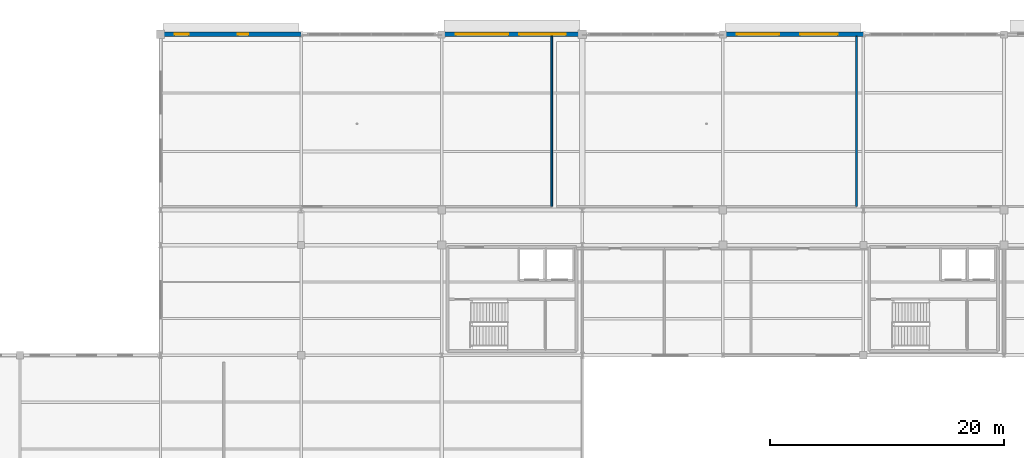
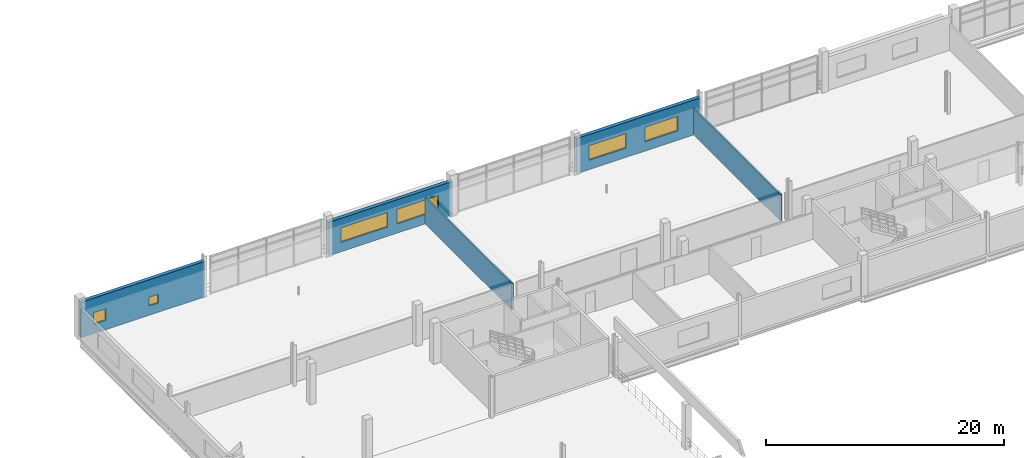
# One storey, part 73 of 89: 6 windows, 5 walls, 6 openings.
"""IFC4 building model written with IfcOpenShell, lengths in metres."""

from ifc_helpers import new_model, si_unit, direction, frame, frame_2d, origin, place, context, subcontext, project, spatial, rectangle, extrude, material, layer, layer_set, type_object, element, fill, save


model = new_model("IFC4")

# Units and contexts
model_context = context("Model", 3, precision=1e-05, world=origin(), true_north=direction((0.0, 1.0)))
body_context = subcontext(model_context, "Body", "Model", "MODEL_VIEW")
ifc_project = project(units=[si_unit("LENGTHUNIT", "METRE"), si_unit("AREAUNIT", "SQUARE_METRE"), si_unit("VOLUMEUNIT", "CUBIC_METRE"), si_unit("PLANEANGLEUNIT", "RADIAN"), si_unit("MASSUNIT", "GRAM", prefix="KILO"), si_unit("THERMODYNAMICTEMPERATUREUNIT", "KELVIN"), si_unit("POWERUNIT", "WATT")], contexts=[model_context])

# Site, building, storey
site_placement = place(None, origin())
site = spatial("IfcSite", under=ifc_project, at=site_placement, CompositionType="ELEMENT")
building_placement = place(site_placement, origin())
building = spatial("IfcBuilding", under=site, at=building_placement, Name="Solmara Park Aquatics Centre", CompositionType="ELEMENT")
storey_placement = place(building_placement, frame((0.0, 0.0, 5.39990234375)))
storey = spatial("IfcBuildingStorey", under=building, at=storey_placement, Name="L01", CompositionType="ELEMENT", Elevation=5.39990234375)

# Wall, openings, windows
ifc_material_1 = material(Name="Insulated Limestone Render Wall", Category="masonry")
ifc_layer_1 = layer(ifc_material_1, 0.35009765625, Name="Insulated Limestone Render Wall")
ifc_layer_set_1 = layer_set([ifc_layer_1], Name="Insulated Limestone Render Wall")
wall_type_1 = type_object("IfcWallType", Name="ARC-WL-EXT350", PredefinedType="SOLIDWALL", material=ifc_layer_set_1)
wall_1_placement = place(storey_placement, frame((24.60009765625, 136.0, 0.0), z_axis=(0.0, 0.0, 1.0), x_axis=(1.0, 0.0, 0.0)))
wall_1 = element("IfcWall", 1, at=wall_1_placement, inside=storey, type_object=wall_type_1, Name="Exterior Facade Wall EW-L01-023", PredefinedType="SOLIDWALL", context=body_context, shape_type="SweptSolid", body=[
    extrude(rectangle(XDim=12.0, YDim=0.35009765625, at=frame_2d((6.0, 0.0))), origin(), (0.0, 0.0, 1.0), 3.64013671875),
])
opening_1_placement = place(wall_1_placement, frame((1.199951171875, 0.0, 0.949951171875)))
opening_1 = element("IfcOpeningElement", 2, at=opening_1_placement, cuts=wall_1, Name="Opening W-09", PredefinedType="OPENING", context=body_context, shape_type="SweptSolid", body=[
    extrude(rectangle(XDim=1.199951171875, YDim=1.199951171875, at=frame_2d((0.60009765625, 0.60009765625))), frame((0.0, 0.18505859375, 0.0), z_axis=(0.0, -1.0, 0.0), x_axis=(1.0, 0.0, 0.0)), (0.0, 0.0, 1.0), 0.3701171875),
])
opening_2_placement = place(wall_1_placement, frame((6.60009765625, 0.0, 0.949951171875)))
opening_2 = element("IfcOpeningElement", 3, at=opening_2_placement, cuts=wall_1, Name="Opening W-10", PredefinedType="OPENING", context=body_context, shape_type="SweptSolid", body=[
    extrude(rectangle(XDim=0.89990234375, YDim=0.89990234375, at=frame_2d((0.449951171875, 0.449951171875))), frame((0.0, 0.18505859375, 0.0), z_axis=(0.0, -1.0, 0.0), x_axis=(1.0, 0.0, 0.0)), (0.0, 0.0, 1.0), 0.3701171875),
])
ifc_material_2 = material(Name="Thermally Broken Aluminium and Low-E Double Glazing", Category="aluminium")
window_type_1 = type_object("IfcWindowType", Name="ARC-WN-090x090", PartitioningType="SINGLE_PANEL", PredefinedType="WINDOW", material=ifc_material_2)
window_1_placement = place(opening_2_placement, origin())
window_1 = element("IfcWindow", 4, at=window_1_placement, inside=storey, type_object=window_type_1, Name="Ribbon Window WN-057", OverallHeight=0.89990234375, OverallWidth=0.89990234375, PartitioningType="SINGLE_PANEL", PredefinedType="WINDOW", context=body_context, shape_type="SweptSolid", body=[
    extrude(rectangle(XDim=0.89990234375, YDim=0.89990234375, at=frame_2d((0.449951171875, 0.449951171875))), frame((0.0, 0.030029296875, 0.0), z_axis=(0.0, -1.0, 0.0), x_axis=(1.0, 0.0, 0.0)), (0.0, 0.0, 1.0), 0.06005859375),
])
fill(opening_2, window_1)
window_type_2 = type_object("IfcWindowType", Name="ARC-WN-120x120", PartitioningType="SINGLE_PANEL", PredefinedType="WINDOW", material=ifc_material_2)
window_2_placement = place(opening_1_placement, origin())
window_2 = element("IfcWindow", 5, at=window_2_placement, inside=storey, type_object=window_type_2, Name="Ribbon Window WN-056", OverallHeight=1.199951171875, OverallWidth=1.199951171875, PartitioningType="SINGLE_PANEL", PredefinedType="WINDOW", context=body_context, shape_type="SweptSolid", body=[
    extrude(rectangle(XDim=1.199951171875, YDim=1.199951171875, at=frame_2d((0.60009765625, 0.60009765625))), frame((0.0, 0.030029296875, 0.0), z_axis=(0.0, -1.0, 0.0), x_axis=(1.0, 0.0, 0.0)), (0.0, 0.0, 1.0), 0.06005859375),
])
fill(opening_1, window_2)

wall_2_placement = place(storey_placement, frame((48.60009765625, 136.0, 0.0), z_axis=(0.0, 0.0, 1.0), x_axis=(1.0, 0.0, 0.0)))
wall_2 = element("IfcWall", 6, at=wall_2_placement, inside=storey, type_object=wall_type_1, Name="Exterior Facade Wall EW-L01-024", PredefinedType="SOLIDWALL", context=body_context, shape_type="SweptSolid", body=[
    extrude(rectangle(XDim=12.0, YDim=0.35009765625, at=frame_2d((6.0, 0.0))), origin(), (0.0, 0.0, 1.0), 3.43017578125),
])
opening_3_placement = place(wall_2_placement, frame((1.199951171875, 0.0, 0.949951171875)))
opening_3 = element("IfcOpeningElement", 7, at=opening_3_placement, cuts=wall_2, Name="Opening W-11", PredefinedType="OPENING", context=body_context, shape_type="SweptSolid", body=[
    extrude(rectangle(XDim=4.5, YDim=1.5, at=frame_2d((2.25, 0.75))), frame((0.0, 0.18505859375, 0.0), z_axis=(0.0, -1.0, 0.0), x_axis=(1.0, 0.0, 0.0)), (0.0, 0.0, 1.0), 0.3701171875),
])
opening_4_placement = place(wall_2_placement, frame((6.60009765625, 0.0, 0.949951171875)))
opening_4 = element("IfcOpeningElement", 8, at=opening_4_placement, cuts=wall_2, Name="Opening W-12", PredefinedType="OPENING", context=body_context, shape_type="SweptSolid", body=[
    extrude(rectangle(XDim=4.0, YDim=1.5, at=frame_2d((2.0, 0.75))), frame((0.0, 0.18505859375, 0.0), z_axis=(0.0, -1.0, 0.0), x_axis=(1.0, 0.0, 0.0)), (0.0, 0.0, 1.0), 0.3701171875),
])
window_type_3 = type_object("IfcWindowType", Name="ARC-WN-400x150", PartitioningType="TRIPLE_PANEL_HORIZONTAL", PredefinedType="WINDOW", material=ifc_material_2)
window_3_placement = place(opening_4_placement, origin())
window_3 = element("IfcWindow", 9, at=window_3_placement, inside=storey, type_object=window_type_3, Name="Ribbon Window WN-059", OverallHeight=1.5, OverallWidth=4.0, PartitioningType="TRIPLE_PANEL_HORIZONTAL", PredefinedType="WINDOW", context=body_context, shape_type="SweptSolid", body=[
    extrude(rectangle(XDim=4.0, YDim=1.5, at=frame_2d((2.0, 0.75))), frame((0.0, 0.030029296875, 0.0), z_axis=(0.0, -1.0, 0.0), x_axis=(1.0, 0.0, 0.0)), (0.0, 0.0, 1.0), 0.06005859375),
])
fill(opening_4, window_3)
window_type_4 = type_object("IfcWindowType", Name="ARC-WN-450x150", PartitioningType="TRIPLE_PANEL_HORIZONTAL", PredefinedType="WINDOW", material=ifc_material_2)
window_4_placement = place(opening_3_placement, origin())
window_4 = element("IfcWindow", 10, at=window_4_placement, inside=storey, type_object=window_type_4, Name="Ribbon Window WN-058", OverallHeight=1.5, OverallWidth=4.5, PartitioningType="TRIPLE_PANEL_HORIZONTAL", PredefinedType="WINDOW", context=body_context, shape_type="SweptSolid", body=[
    extrude(rectangle(XDim=4.5, YDim=1.5, at=frame_2d((2.25, 0.75))), frame((0.0, 0.030029296875, 0.0), z_axis=(0.0, -1.0, 0.0), x_axis=(1.0, 0.0, 0.0)), (0.0, 0.0, 1.0), 0.06005859375),
])
fill(opening_3, window_4)

wall_3_placement = place(storey_placement, frame((72.60009765625, 136.0, 0.0), z_axis=(0.0, 0.0, 1.0), x_axis=(1.0, 0.0, 0.0)))
wall_3 = element("IfcWall", 11, at=wall_3_placement, inside=storey, type_object=wall_type_1, Name="Exterior Facade Wall EW-L01-025", PredefinedType="SOLIDWALL", context=body_context, shape_type="SweptSolid", body=[
    extrude(rectangle(XDim=12.0, YDim=0.35009765625, at=frame_2d((6.0, 0.0))), origin(), (0.0, 0.0, 1.0), 3.590087890625),
])
opening_5_placement = place(wall_3_placement, frame((1.199951171875, 0.0, 0.949951171875)))
opening_5 = element("IfcOpeningElement", 12, at=opening_5_placement, cuts=wall_3, Name="Opening W-13", PredefinedType="OPENING", context=body_context, shape_type="SweptSolid", body=[
    extrude(rectangle(XDim=3.60009765625, YDim=1.5, at=frame_2d((1.800048828125, 0.75))), frame((0.0, 0.18505859375, 0.0), z_axis=(0.0, -1.0, 0.0), x_axis=(1.0, 0.0, 0.0)), (0.0, 0.0, 1.0), 0.3701171875),
])
opening_6_placement = place(wall_3_placement, frame((6.60009765625, 0.0, 0.949951171875)))
opening_6 = element("IfcOpeningElement", 13, at=opening_6_placement, cuts=wall_3, Name="Opening W-14", PredefinedType="OPENING", context=body_context, shape_type="SweptSolid", body=[
    extrude(rectangle(XDim=3.199951171875, YDim=1.5, at=frame_2d((1.60009765625, 0.75))), frame((0.0, 0.18505859375, 0.0), z_axis=(0.0, -1.0, 0.0), x_axis=(1.0, 0.0, 0.0)), (0.0, 0.0, 1.0), 0.3701171875),
])
window_type_5 = type_object("IfcWindowType", Name="ARC-WN-320x150", PartitioningType="DOUBLE_PANEL_HORIZONTAL", PredefinedType="WINDOW", material=ifc_material_2)
window_5_placement = place(opening_6_placement, origin())
window_5 = element("IfcWindow", 14, at=window_5_placement, inside=storey, type_object=window_type_5, Name="Ribbon Window WN-061", OverallHeight=1.5, OverallWidth=3.199951171875, PartitioningType="DOUBLE_PANEL_HORIZONTAL", PredefinedType="WINDOW", context=body_context, shape_type="SweptSolid", body=[
    extrude(rectangle(XDim=3.199951171875, YDim=1.5, at=frame_2d((1.60009765625, 0.75))), frame((0.0, 0.030029296875, 0.0), z_axis=(0.0, -1.0, 0.0), x_axis=(1.0, 0.0, 0.0)), (0.0, 0.0, 1.0), 0.06005859375),
])
fill(opening_6, window_5)
window_type_6 = type_object("IfcWindowType", Name="ARC-WN-360x150", PartitioningType="TRIPLE_PANEL_HORIZONTAL", PredefinedType="WINDOW", material=ifc_material_2)
window_6_placement = place(opening_5_placement, origin())
window_6 = element("IfcWindow", 15, at=window_6_placement, inside=storey, type_object=window_type_6, Name="Ribbon Window WN-060", OverallHeight=1.5, OverallWidth=3.60009765625, PartitioningType="TRIPLE_PANEL_HORIZONTAL", PredefinedType="WINDOW", context=body_context, shape_type="SweptSolid", body=[
    extrude(rectangle(XDim=3.60009765625, YDim=1.5, at=frame_2d((1.800048828125, 0.75))), frame((0.0, 0.030029296875, 0.0), z_axis=(0.0, -1.0, 0.0), x_axis=(1.0, 0.0, 0.0)), (0.0, 0.0, 1.0), 0.06005859375),
])
fill(opening_5, window_6)

# Walls
ifc_material_3 = material(Name="Cement-Rendered Masonry Partition", Category="masonry")
ifc_layer_2 = layer(ifc_material_3, 0.14990234375, Name="Cement-Rendered Masonry Partition")
ifc_layer_set_2 = layer_set([ifc_layer_2], Name="Cement-Rendered Masonry Partition")
wall_type_2 = type_object("IfcWallType", Name="ARC-WL-MAS150", PredefinedType="PARTITIONING", material=ifc_layer_set_2)
for number, where, z_axis, x_axis, name in (
    (16, (58.0, 121.300048828125, 0.0), (0.0, 0.0, 1.0), (0.0, 1.0, 0.0), "Interior Partition IW-L01-0096 (L01-GYM-01)"),
    (17, (84.0, 121.300048828125, 0.0), (0.0, 0.0, 1.0), (0.0, 1.0, 0.0), "Interior Partition IW-L01-0098 (L01-GYM-02)"),
):
    element("IfcWall", number, at=place(storey_placement, frame(where, z_axis=z_axis, x_axis=x_axis)), inside=storey, type_object=wall_type_2, Name=name, PredefinedType="PARTITIONING", context=body_context, shape_type="SweptSolid", body=[
        extrude(rectangle(XDim=14.52490234375, YDim=0.14990234375, at=frame_2d((7.262451171875, 0.0))), origin(), (0.0, 0.0, 1.0), 2.7001953125),
    ])

save(model, "model.ifc")
